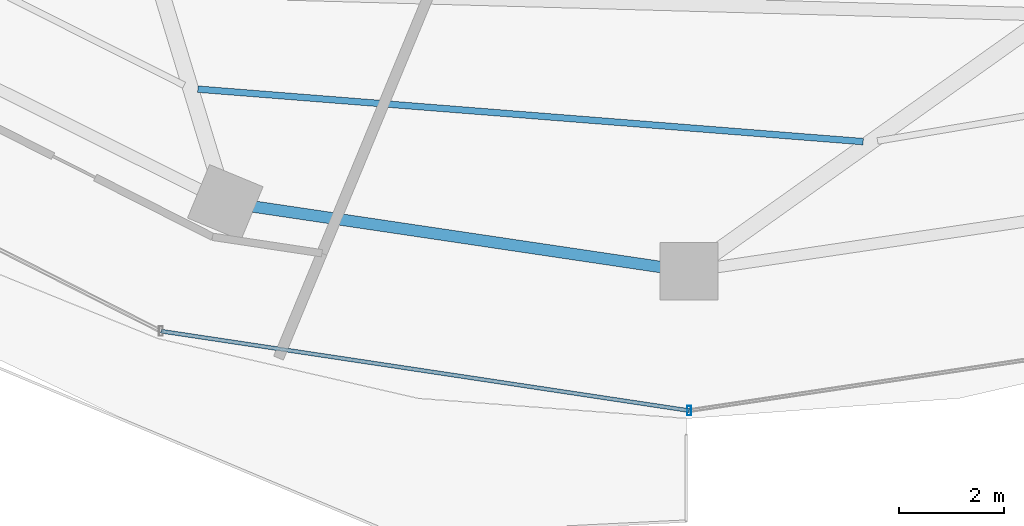
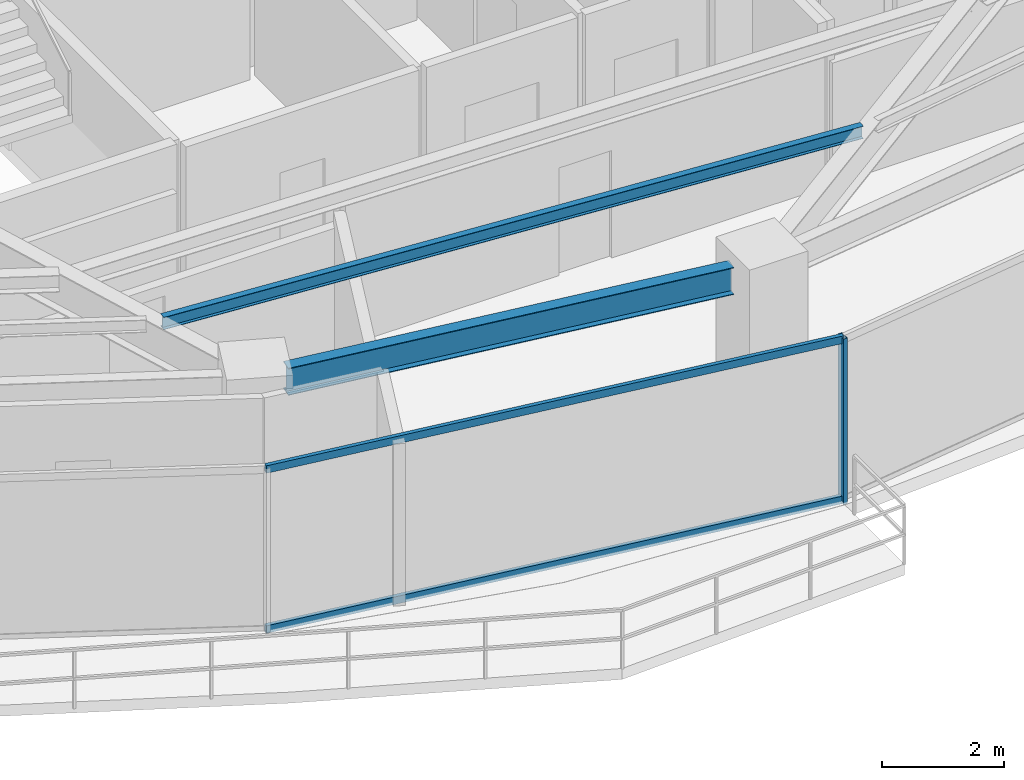
# One storey, part 5 of 30: 3 members, 2 beams, 1 element without a shape of its own.
"""IFC4 building model written with IfcOpenShell, lengths in metres."""

from ifc_helpers import new_model, si_unit, direction, frame, origin, origin_2d, place, context, subcontext, project, spatial, hollow_rectangle, i_section, extrude, material, material_profile, profile_set, type_object, element, aggregate, save


model = new_model("IFC4")

# Units and contexts
model_context = context("Model", 3, precision=1e-05, world=origin(), true_north=direction((0.0, 1.0)))
body_context = subcontext(model_context, "Body", "Model", "MODEL_VIEW")
ifc_project = project(units=[si_unit("LENGTHUNIT", "METRE"), si_unit("AREAUNIT", "SQUARE_METRE"), si_unit("VOLUMEUNIT", "CUBIC_METRE"), si_unit("PLANEANGLEUNIT", "RADIAN"), si_unit("MASSUNIT", "GRAM", prefix="KILO")], contexts=[model_context])

# Site, building, storey
site_placement = place(None, origin())
site = spatial("IfcSite", under=ifc_project, at=site_placement, CompositionType="ELEMENT")
building_placement = place(site_placement, origin())
building = spatial("IfcBuilding", under=site, at=building_placement, Name="Vorneva Point Tower", CompositionType="ELEMENT")
storey_placement = place(building_placement, frame((0.0, 0.0, 106.800048828125)))
storey = spatial("IfcBuildingStorey", under=building, at=storey_placement, Name="L28", CompositionType="ELEMENT", Elevation=106.800048828125)

# Beams
ifc_material_1 = material(Name="Steel S355", Category="steel")
ifc_material_profile_1 = material_profile(ifc_material_1, i_section(OverallWidth=0.1240234375, OverallDepth=0.248046875, WebThickness=0.0048828125, FlangeThickness=0.008056640625, at=origin_2d()), Name="25B1")
ifc_profile_set_1 = profile_set([ifc_material_profile_1], Name="Steel S355")
beam_type_1 = type_object("IfcBeamType", Name="BM-JST-25B1", PredefinedType="JOIST", material=ifc_profile_set_1)
beam_1_placement = place(storey_placement, frame((28.657958984375, 12.263427734375, 3.115966796875), z_axis=(0.996902079172, -0.078652682998, 0.0), x_axis=(0.078652682998, 0.996902079172, 0.0)))
element("IfcBeam", 1, at=beam_1_placement, inside=storey, type_object=beam_type_1, Name="L28 Secondary Floor Beam 1.12", PredefinedType="JOIST", context=body_context, shape_type="SweptSolid", body=[
    extrude(i_section(OverallWidth=0.1240234375, OverallDepth=0.248046875, WebThickness=0.0048828125, FlangeThickness=0.008056640625, at=origin_2d()), origin(), (0.0, 0.0, 1.0), 12.6923828125),
])
ifc_material_profile_2 = material_profile(ifc_material_1, i_section(OverallWidth=0.219970703125, OverallDepth=0.54296875, WebThickness=0.009521484375, FlangeThickness=0.013427734375, at=origin_2d()), Name="55B1")
ifc_profile_set_2 = profile_set([ifc_material_profile_2], Name="Steel S355")
beam_type_2 = type_object("IfcBeamType", Name="BM-SPN-55B1", PredefinedType="SPANDREL", material=ifc_profile_set_2)
beam_2_placement = place(storey_placement, frame((29.708251953125, 10.03076171875, 2.968505859375), z_axis=(0.989164507783, -0.146811363806, 0.0), x_axis=(0.146811363806, 0.989164507783, 0.0)))
element("IfcBeam", 2, at=beam_2_placement, inside=storey, type_object=beam_type_2, Name="L28 Perimeter Spandrel Ring Beam 12", PredefinedType="SPANDREL", context=body_context, shape_type="SweptSolid", body=[
    extrude(i_section(OverallWidth=0.219970703125, OverallDepth=0.54296875, WebThickness=0.009521484375, FlangeThickness=0.013427734375, at=origin_2d()), origin(), (0.0, 0.0, 1.0), 7.847412109375),
])

# Curtain wall, members
ifc_material_2 = material(Name="Pale anodised aluminium", Category="aluminium")
curtain_wall_type = type_object("IfcCurtainWallType", Name="CW-HTL-SYS", PredefinedType="NOTDEFINED", material=ifc_material_2)
curtain_wall_placement = place(storey_placement, origin())
curtain_wall = element("IfcCurtainWall", 3, at=curtain_wall_placement, inside=storey, type_object=curtain_wall_type, Name="L28 Unitised Curtain Wall CW-L28-R04", PredefinedType="NOTDEFINED")
ifc_material_profile_3 = material_profile(ifc_material_2, hollow_rectangle(XDim=0.074951171875, YDim=0.179931640625, WallThickness=0.00390625, at=origin_2d()), Name="AL-MUL 180x75x4")
ifc_profile_set_3 = profile_set([ifc_material_profile_3], Name="Pale anodised aluminium")
member_type_1 = type_object("IfcMemberType", Name="CW-MUL-180", PredefinedType="MULLION", material=ifc_profile_set_3)
member_1_placement = place(storey_placement, frame((38.0, 6.14990234375, -0.0400390625), z_axis=(0.0, 0.0, 1.0), x_axis=(1.0, 0.0, 0.0)))
member_1 = element("IfcMember", 4, at=member_1_placement, type_object=member_type_1, Name="CW-L28-R04 Mullion 03", PredefinedType="MULLION", context=body_context, shape_type="SweptSolid", body=[
    extrude(hollow_rectangle(XDim=0.074951171875, YDim=0.179931640625, WallThickness=0.00390625, at=origin_2d()), origin(), (0.0, 0.0, 1.0), 3.31005859375),
])
ifc_material_profile_4 = material_profile(ifc_material_2, hollow_rectangle(XDim=0.074951171875, YDim=0.14990234375, WallThickness=0.00390625, at=origin_2d()), Name="AL-TRN 150x75x4")
ifc_profile_set_4 = profile_set([ifc_material_profile_4], Name="Pale anodised aluminium")
member_type_2 = type_object("IfcMemberType", Name="CW-TRN-150", PredefinedType="USERDEFINED", material=ifc_profile_set_4)
member_2_placement = place(storey_placement, frame((27.95458984375, 7.660888671875, 0.02001953125), z_axis=(0.988875982167, -0.148742367512, 0.0), x_axis=(0.148742367512, 0.988875982167, 0.0)))
member_2 = element("IfcMember", 5, at=member_2_placement, type_object=member_type_2, Name="CW-L28-R04 Transom 02.1", ObjectType="TRANSOM", PredefinedType="USERDEFINED", context=body_context, shape_type="SweptSolid", body=[
    extrude(hollow_rectangle(XDim=0.074951171875, YDim=0.14990234375, WallThickness=0.00390625, at=origin_2d()), origin(), (0.0, 0.0, 1.0), 10.158447265625),
])
member_3_placement = place(storey_placement, frame((27.95458984375, 7.660888671875, 3.219970703125), z_axis=(0.988875982167, -0.148742367512, 0.0), x_axis=(0.148742367512, 0.988875982167, 0.0)))
member_3 = element("IfcMember", 6, at=member_3_placement, type_object=member_type_2, Name="CW-L28-R04 Transom 02.2", ObjectType="TRANSOM", PredefinedType="USERDEFINED", context=body_context, shape_type="SweptSolid", body=[
    extrude(hollow_rectangle(XDim=0.074951171875, YDim=0.14990234375, WallThickness=0.00390625, at=origin_2d()), origin(), (0.0, 0.0, 1.0), 10.158447265625),
])
aggregate(curtain_wall, [member_1, member_2, member_3])

save(model, "model.ifc")
